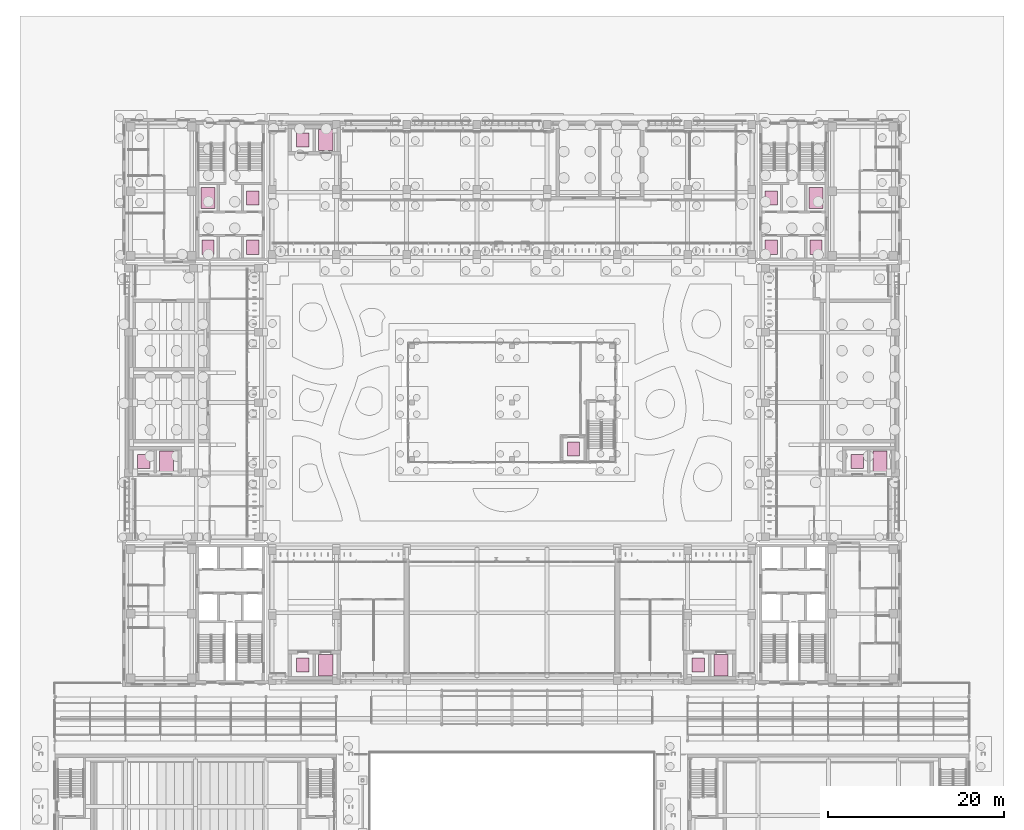
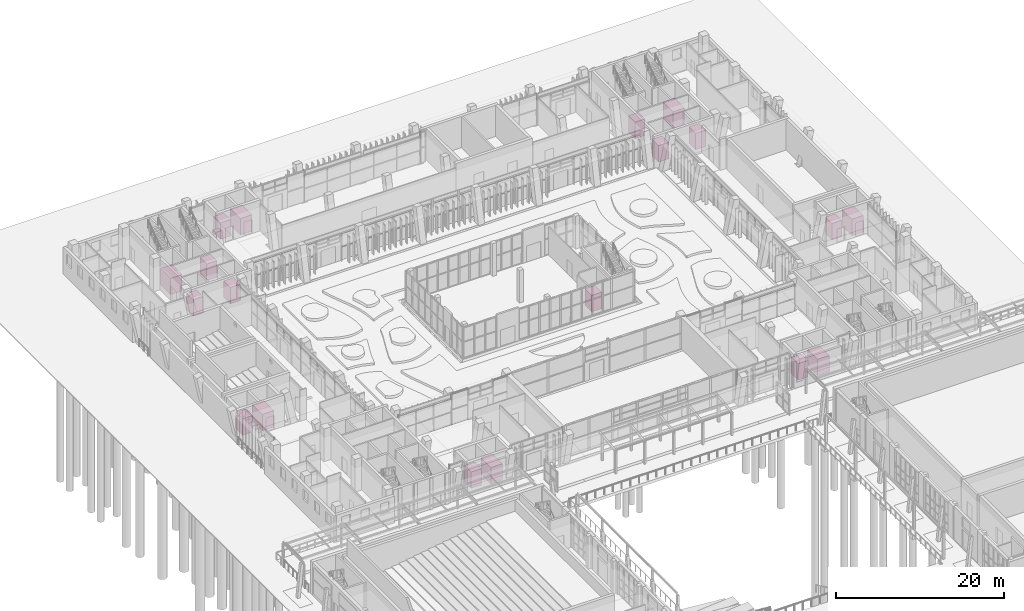
# One storey, part 144 of 144: 19 transport elements.
"""IFC4 building model written with IfcOpenShell, lengths in metres."""

import ifcopenshell
import ifcopenshell.guid

model = None  # the IFC model being written
_history = None  # IfcOwnerHistory: only IFC2X3 demands one
_inside = {}  # id of a spatial element -> (the spatial element, [elements in it])
_under = {}  # id of a project, library or spatial element -> (it, [spatial elements below it])
_declared = {}  # id of a project -> (the project, [libraries it declares])
_typed = {}  # id of a type object -> (the type object, [elements of that type])
_made_of = {}  # id of a material, layer set ... -> (it, [elements and type objects made of it])


def new_model(schema):
    """Start an empty IFC model of exactly this schema.

    Asked for "IFC4X3", IfcOpenShell would pick the latest addendum, in which some entities
    have other attributes; the version numbers below select the first issue.
    IFC2X3 requires an IfcOwnerHistory on every rooted entity: one is made here for all.
    """
    global model, _history
    if schema == "IFC4X3":
        model = ifcopenshell.file(schema_version=(4, 3, 0, 0))
    else:
        model = ifcopenshell.file(schema=schema)
    _inside.clear()
    _under.clear()
    _declared.clear()
    _typed.clear()
    _made_of.clear()
    _history = None
    if model.schema == "IFC2X3":
        org = make("IfcOrganization", Name="unknown")
        user = make(
            "IfcPersonAndOrganization",
            ThePerson=make("IfcPerson", FamilyName="unknown"),
            TheOrganization=org,
        )
        app = make(
            "IfcApplication",
            ApplicationDeveloper=org,
            Version="unknown",
            ApplicationFullName="unknown",
            ApplicationIdentifier="unknown",
        )
        _history = make(
            "IfcOwnerHistory",
            OwningUser=user,
            OwningApplication=app,
            ChangeAction="ADDED",
            CreationDate=0,
        )
    return model


def make(cls, **values):
    """One entity of the class cls with the attributes given. An attribute that is None is left unset."""
    return model.create_entity(
        cls, **{name: value for name, value in values.items() if value is not None}
    )


def rooted(cls, **values):
    """An entity with a GlobalId (a new one), such as an element, a storey or a relation."""
    return make(cls, GlobalId=ifcopenshell.guid.new(), OwnerHistory=_history, **values)


def si_unit(unit_type, name, prefix=None):
    """IfcSIUnit, for example si_unit("LENGTHUNIT", "METRE", prefix="MILLI")."""
    return make("IfcSIUnit", UnitType=unit_type, Prefix=prefix, Name=name)


def assignment(units):
    """IfcUnitAssignment: the units of a project."""
    return None if units is None else make("IfcUnitAssignment", Units=units)


def point(xyz):
    """IfcCartesianPoint."""
    return None if xyz is None else make("IfcCartesianPoint", Coordinates=xyz)


def direction(xyz):
    """IfcDirection."""
    return None if xyz is None else make("IfcDirection", DirectionRatios=xyz)


def frame(location, z_axis=None, x_axis=None):
    """IfcAxis2Placement3D, a coordinate frame: its origin and axes. An axis left out is left unset."""
    return make(
        "IfcAxis2Placement3D",
        Location=point(location),
        Axis=direction(z_axis),
        RefDirection=direction(x_axis),
    )


def frame_2d(location, x_axis=None):
    """IfcAxis2Placement2D, a coordinate frame in the plane: its origin and x axis."""
    return make(
        "IfcAxis2Placement2D", Location=point(location), RefDirection=direction(x_axis)
    )


def origin():
    """The frame at (0, 0, 0) with its axes left unset."""
    return frame((0.0, 0.0, 0.0))


def origin_2d():
    """The frame at (0, 0) in the plane with its x axis left unset."""
    return frame_2d((0.0, 0.0))


def place(relative_to, where):
    """IfcLocalPlacement: puts the frame where relative to a parent placement (None: the world)."""
    return make(
        "IfcLocalPlacement", PlacementRelTo=relative_to, RelativePlacement=where
    )


def context(
    kind, dimensions, precision=None, world=None, true_north=None, identifier=None
):
    """IfcGeometricRepresentationContext, for example the 3D "Model" context."""
    return make(
        "IfcGeometricRepresentationContext",
        ContextIdentifier=identifier,
        ContextType=kind,
        CoordinateSpaceDimension=dimensions,
        Precision=precision,
        WorldCoordinateSystem=world,
        TrueNorth=true_north,
    )


def subcontext(parent, identifier, kind, view, scale=None):
    """IfcGeometricRepresentationSubContext, for example "Body" below "Model"."""
    return make(
        "IfcGeometricRepresentationSubContext",
        ContextIdentifier=identifier,
        ContextType=kind,
        ParentContext=parent,
        TargetScale=scale,
        TargetView=view,
    )


def project(units=None, contexts=None):
    """IfcProject with its units and contexts."""
    return rooted(
        "IfcProject",
        Name="project",
        RepresentationContexts=contexts,
        UnitsInContext=assignment(units),
    )


def spatial(cls, under=None, at=None, **own):
    """A site, building, storey or space (cls), placed at a placement, below another one or the project."""
    s = rooted(cls, ObjectPlacement=at, **own)
    if under is not None:
        _under.setdefault(under.id(), (under, []))[1].append(s)
    return s


def profile(cls, at=None, kind="AREA", **sizes):
    """A parametric profile (cls). Its sizes go by their IFC names, for example OverallWidth=200.0."""
    return make(cls, ProfileType=kind, Position=at, **sizes)


def rectangle(**sizes):
    """IfcRectangleProfileDef."""
    return profile("IfcRectangleProfileDef", **sizes)


def extrude(swept, where, along, depth):
    """IfcExtrudedAreaSolid: the profile swept, set in the frame where, extruded along a direction by depth."""
    return make(
        "IfcExtrudedAreaSolid",
        SweptArea=swept,
        Position=where,
        ExtrudedDirection=direction(along),
        Depth=depth,
    )


def shape(context_of_items, identifier, shape_type, items):
    """IfcShapeRepresentation: the items that make up one representation, for example the "Body"."""
    return make(
        "IfcShapeRepresentation",
        ContextOfItems=context_of_items,
        RepresentationIdentifier=identifier,
        RepresentationType=shape_type,
        Items=items,
    )


def material(Name=None, Category=None):
    """IfcMaterial."""
    return make("IfcMaterial", Name=Name, Category=Category)


def made_of(thing, what):
    """Note that an element or type object is made of a material, layer set ...; save() writes the relation."""
    if what is not None:
        _made_of.setdefault(what.id(), (what, []))[1].append(thing)
    return thing


def type_object(cls, material=None, **own):
    """A type object (cls), such as IfcWallType, which elements share."""
    return made_of(rooted(cls, **own), material)


def element(
    cls,
    number,
    at=None,
    inside=None,
    cuts=None,
    type_object=None,
    material=None,
    context=None,
    identifier="Body",
    shape_type=None,
    held_by="IfcProductDefinitionShape",
    body=None,
    shapes=None,
    **own,
):
    """One element of the class cls, such as IfcWall. Its Tag is "e" and its number.

    at: its placement. inside: the storey or other place that contains it. cuts: it is an
    opening in that element (IfcRelVoidsElement). A single representation is given by context,
    identifier, shape_type and body (its items); several are given by shapes. held_by: the class
    of the entity that holds the representations. save() writes the other relations.
    """
    e = rooted(cls, Tag="e%d" % number, ObjectPlacement=at, **own)
    if body is not None:
        shapes = [shape(context, identifier, shape_type, body)]
    if shapes is not None:
        e.Representation = make(held_by, Representations=shapes)
    if inside is not None:
        _inside.setdefault(inside.id(), (inside, []))[1].append(e)
    if cuts is not None:
        rooted(
            "IfcRelVoidsElement", RelatingBuildingElement=cuts, RelatedOpeningElement=e
        )
    if type_object is not None:
        _typed.setdefault(type_object.id(), (type_object, []))[1].append(e)
    return made_of(e, material)


def aggregate(whole, parts):
    """IfcRelAggregates: a whole, such as a stair, and the parts it consists of."""
    return rooted("IfcRelAggregates", RelatingObject=whole, RelatedObjects=parts)


def save(model, path):
    """Write the relations noted so far, then the file.

    IfcRelAggregates (storeys below a building ...), IfcRelContainedInSpatialStructure (elements
    in a storey), IfcRelDefinesByType, IfcRelAssociatesMaterial and IfcRelDeclares: one each for
    every whole, place, type object, material and project.
    """
    for whole, parts in _under.values():
        aggregate(whole, parts)
    for where, things in _inside.values():
        rooted(
            "IfcRelContainedInSpatialStructure",
            RelatedElements=things,
            RelatingStructure=where,
        )
    for kind, things in _typed.values():
        rooted("IfcRelDefinesByType", RelatedObjects=things, RelatingType=kind)
    for what, things in _made_of.values():
        rooted("IfcRelAssociatesMaterial", RelatedObjects=things, RelatingMaterial=what)
    for by, libraries in _declared.values():
        rooted("IfcRelDeclares", RelatingContext=by, RelatedDefinitions=libraries)
    model.write(path)


model = new_model("IFC4")

# Units and contexts
model_context = context("Model", 3, precision=1e-05, world=origin(), true_north=direction((0.0, 1.0)))
body_context = subcontext(model_context, "Body", "Model", "MODEL_VIEW")
ifc_project = project(units=[si_unit("LENGTHUNIT", "METRE"), si_unit("AREAUNIT", "SQUARE_METRE"), si_unit("VOLUMEUNIT", "CUBIC_METRE"), si_unit("PLANEANGLEUNIT", "RADIAN"), si_unit("MASSUNIT", "GRAM", prefix="KILO")], contexts=[model_context])

# Site, building, storey
site_placement = place(None, origin())
site = spatial("IfcSite", under=ifc_project, at=site_placement, CompositionType="ELEMENT")
building_placement = place(site_placement, origin())
building = spatial("IfcBuilding", under=site, at=building_placement, Name="Lantern Court Media Centre", CompositionType="ELEMENT")
storey_placement = place(building_placement, origin())
storey = spatial("IfcBuildingStorey", under=building, at=storey_placement, Name="L00", CompositionType="ELEMENT", Elevation=0.0)

# Transport elements
ifc_material = material(Name="Stainless steel", Category="steel")
transport_element_type_1 = type_object("IfcTransportElementType", Name="Firefighting lift car", PredefinedType="ELEVATOR", material=ifc_material)
for number, where, z_axis, x_axis, name in (
    (1, (17.39990234375, 103.300048828125, 0.0), (0.0, 0.0, 1.0), (1.0, 0.0, 0.0), "NW firefighting lift FF"),
    (2, (86.60009765625, 103.300048828125, 0.0), (0.0, 0.0, 1.0), (1.0, 0.0, 0.0), "NE firefighting lift FF"),
):
    element("IfcTransportElement", number, at=place(storey_placement, frame(where, z_axis=z_axis, x_axis=x_axis)), inside=storey, type_object=transport_element_type_1, Name=name, PredefinedType="ELEVATOR", context=body_context, shape_type="SweptSolid", body=[
        extrude(rectangle(XDim=1.60009765625, YDim=2.39990234375, at=origin_2d()), origin(), (0.0, 0.0, 1.0), 2.39990234375),
    ])
transport_element_type_2 = type_object("IfcTransportElementType", Name="Passenger lift car", PredefinedType="ELEVATOR", material=ifc_material)
for number, where, z_axis, x_axis, name in (
    (3, (22.5, 103.300048828125, 0.0), (0.0, 0.0, 1.0), (1.0, 0.0, 0.0), "NW passenger lift P1"),
    (4, (17.39990234375, 97.675048828125, 0.0), (0.0, 0.0, 1.0), (1.0, 0.0, 0.0), "NW passenger lift P2"),
    (5, (22.5, 97.675048828125, 0.0), (0.0, 0.0, 1.0), (1.0, 0.0, 0.0), "NW passenger lift P3"),
    (6, (81.5, 103.300048828125, 0.0), (0.0, 0.0, 1.0), (1.0, 0.0, 0.0), "NE passenger lift P1"),
    (7, (86.60009765625, 97.675048828125, 0.0), (0.0, 0.0, 1.0), (1.0, 0.0, 0.0), "NE passenger lift P2"),
    (8, (81.5, 97.675048828125, 0.0), (0.0, 0.0, 1.0), (1.0, 0.0, 0.0), "NE passenger lift P3"),
    (9, (28.199951171875, 50.10009765625, 0.0), (0.0, 0.0, 1.0), (1.0, 0.0, 0.0), "S-LC1 passenger lift"),
    (10, (73.199951171875, 50.10009765625, 0.0), (0.0, 0.0, 1.0), (1.0, 0.0, 0.0), "S-LC2 passenger lift"),
    (11, (28.199951171875, 109.89990234375, 0.0), (0.0, 0.0, 1.0), (1.0, 0.0, 0.0), "N-LC passenger lift"),
    (12, (10.10009765625, 73.300048828125, 0.0), (0.0, 0.0, 1.0), (1.0, 0.0, 0.0), "W-LC passenger lift"),
    (13, (91.300048828125, 73.300048828125, 0.0), (0.0, 0.0, 1.0), (1.0, 0.0, 0.0), "E-LC passenger lift"),
    (14, (59.0, 74.699951171875, 0.0), (0.0, 0.0, 1.0), (1.0, 0.0, 0.0), "PB-LIFT passenger lift"),
):
    element("IfcTransportElement", number, at=place(storey_placement, frame(where, z_axis=z_axis, x_axis=x_axis)), inside=storey, type_object=transport_element_type_2, Name=name, PredefinedType="ELEVATOR", context=body_context, shape_type="SweptSolid", body=[
        extrude(rectangle(XDim=1.39990234375, YDim=1.60009765625, at=origin_2d()), origin(), (0.0, 0.0, 1.0), 2.39990234375),
    ])
transport_element_type_3 = type_object("IfcTransportElementType", Name="Service lift car", PredefinedType="ELEVATOR", material=ifc_material)
for number, where, z_axis, x_axis, name in (
    (15, (30.800048828125, 50.10009765625, 0.0), (0.0, 0.0, 1.0), (1.0, 0.0, 0.0), "S-LC1 service lift"),
    (16, (75.800048828125, 50.10009765625, 0.0), (0.0, 0.0, 1.0), (1.0, 0.0, 0.0), "S-LC2 service lift"),
    (17, (30.800048828125, 109.89990234375, 0.0), (0.0, 0.0, 1.0), (1.0, 0.0, 0.0), "N-LC service lift"),
    (18, (12.699951171875, 73.300048828125, 0.0), (0.0, 0.0, 1.0), (1.0, 0.0, 0.0), "W-LC service lift"),
    (19, (93.89990234375, 73.300048828125, 0.0), (0.0, 0.0, 1.0), (1.0, 0.0, 0.0), "E-LC service lift"),
):
    element("IfcTransportElement", number, at=place(storey_placement, frame(where, z_axis=z_axis, x_axis=x_axis)), inside=storey, type_object=transport_element_type_3, Name=name, PredefinedType="ELEVATOR", context=body_context, shape_type="SweptSolid", body=[
        extrude(rectangle(XDim=1.60009765625, YDim=2.39990234375, at=origin_2d()), origin(), (0.0, 0.0, 1.0), 2.39990234375),
    ])

save(model, "model.ifc")
